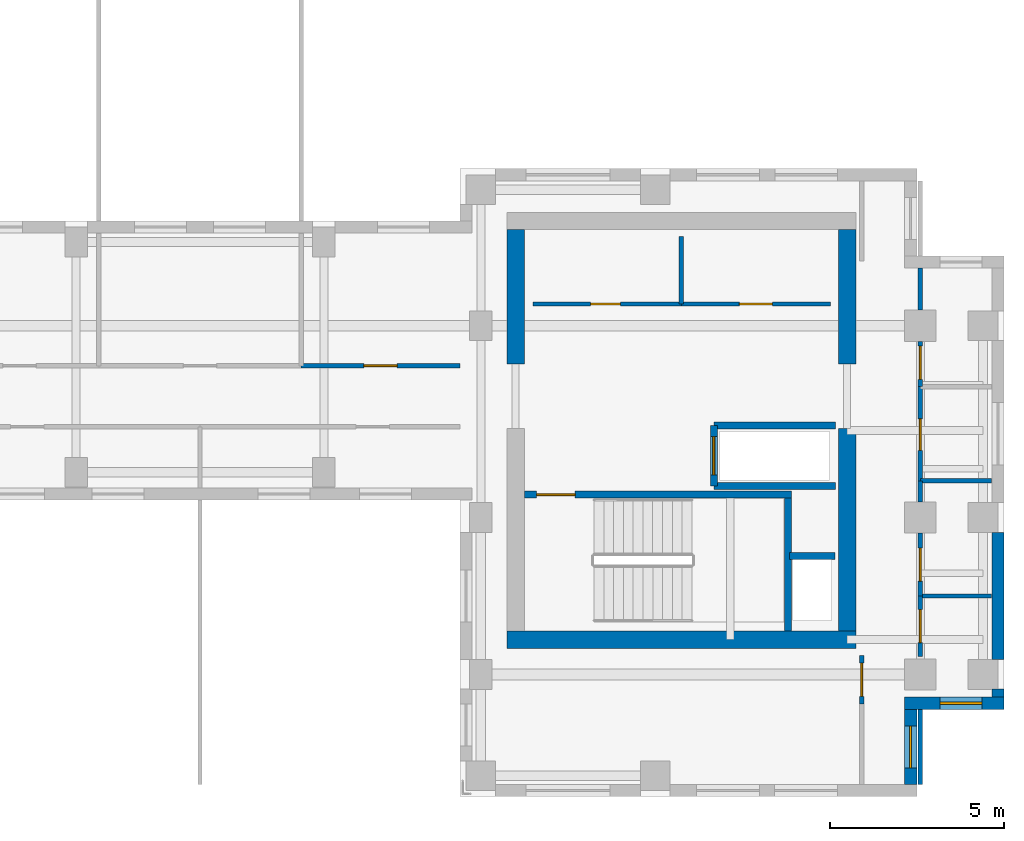
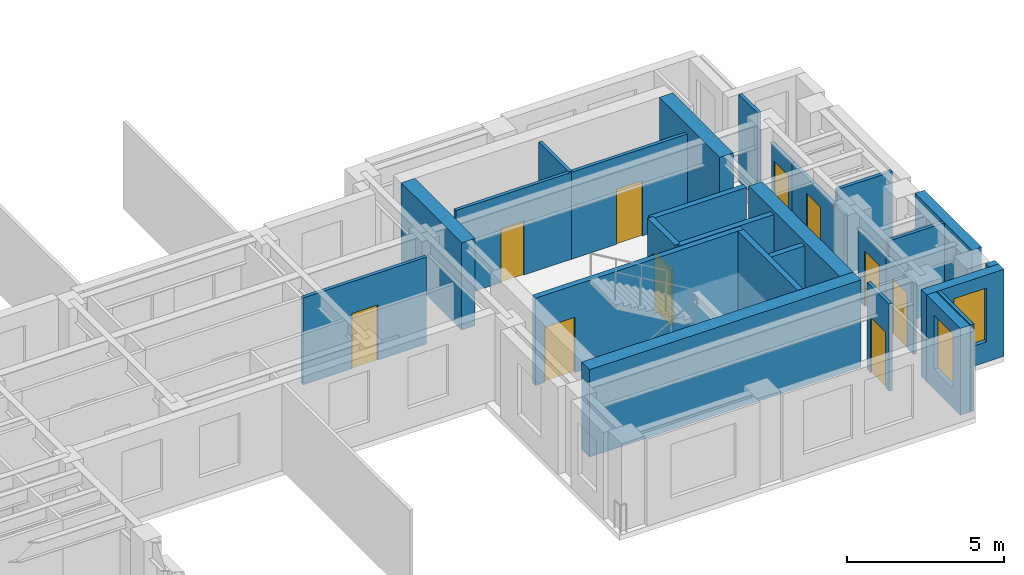
# One storey, part 6 of 10: 28 walls, 10 doors, 2 windows, 12 openings.
"""IFC4 building model written with IfcOpenShell, lengths in metres."""

from ifc_helpers import new_model, si_unit, direction, frame, frame_2d, origin, place, context, subcontext, project, spatial, rectangle, extrude, source, transform, mapped, material, layer, layer_set, type_object, element, fill, save


model = new_model("IFC4")

# Units and contexts
model_context = context("Model", 3, precision=1e-05, world=origin(), true_north=direction((0.0, 1.0)))
body_context = subcontext(model_context, "Body", "Model", "MODEL_VIEW")
ifc_project = project(units=[si_unit("LENGTHUNIT", "METRE"), si_unit("AREAUNIT", "SQUARE_METRE"), si_unit("VOLUMEUNIT", "CUBIC_METRE"), si_unit("PLANEANGLEUNIT", "RADIAN"), si_unit("MASSUNIT", "GRAM", prefix="KILO")], contexts=[model_context])

# Site, building, storey
site_placement = place(None, origin())
site = spatial("IfcSite", under=ifc_project, at=site_placement, CompositionType="ELEMENT")
building_placement = place(site_placement, origin())
building = spatial("IfcBuilding", under=site, at=building_placement, Name="Kharzan Plaza Tower", CompositionType="ELEMENT")
storey_placement = place(building_placement, frame((0.0, 0.0, 237.60009765625)))
storey = spatial("IfcBuildingStorey", under=building, at=storey_placement, Name="L64", CompositionType="ELEMENT", Elevation=237.60009765625)

# Wall, opening, window
ifc_material_1 = material(Name="Concrete C40/50", Category="concrete")
ifc_layer_1 = layer(ifc_material_1, 0.35009765625)
ifc_layer_set_1 = layer_set([ifc_layer_1], Name="Concrete C40/50")
wall_type_1 = type_object("IfcWallType", Name="WL-EXT-MAS-Z4", PredefinedType="SOLIDWALL", material=ifc_layer_set_1)
wall_1_placement = place(storey_placement, frame((47.324951171875, 0.347900390625, 0.0), z_axis=(0.0, 0.0, 1.0), x_axis=(0.0, 1.0, 0.0)))
wall_1 = element("IfcWall", 1, at=wall_1_placement, inside=storey, type_object=wall_type_1, Name="L64 Masonry-Frame Exterior Wall 37", PredefinedType="SOLIDWALL", context=body_context, shape_type="SweptSolid", body=[
    extrude(rectangle(XDim=2.154052734375, YDim=0.35009765625, at=frame_2d((1.0771484375, 0.0))), origin(), (0.0, 0.0, 1.0), 3.385009765625),
])
opening_1_placement = place(wall_1_placement, frame((0.47705078125, 0.0, 0.780029296875)))
opening_1 = element("IfcOpeningElement", 2, at=opening_1_placement, cuts=wall_1, Name="Opening W3", PredefinedType="OPENING", context=body_context, shape_type="SweptSolid", body=[
    extrude(rectangle(XDim=1.199951171875, YDim=2.10009765625, at=frame_2d((0.60009765625, 1.050048828125))), frame((0.0, 0.18505859375, 0.0), z_axis=(0.0, -1.0, 0.0), x_axis=(1.0, 0.0, 0.0)), (0.0, 0.0, 1.0), 0.3701171875),
])
ifc_material_2 = material(Name="Low-E Double Glazing", Category="glass")
window_type = type_object("IfcWindowType", Name="WN-REC-1200x2100", PartitioningType="SINGLE_PANEL", PredefinedType="WINDOW", material=ifc_material_2)
shared_shape_1 = source(origin(), body_context, "Body", "SweptSolid", [
    extrude(rectangle(XDim=1.199951171875, YDim=2.10009765625, at=frame_2d((0.60009765625, 1.050048828125))), frame((0.0, 0.030029296875, 0.0), z_axis=(0.0, -1.0, 0.0), x_axis=(1.0, 0.0, 0.0)), (0.0, 0.0, 1.0), 0.06005859375),
])
window_1_placement = place(opening_1_placement, origin())
window_1 = element("IfcWindow", 3, at=window_1_placement, inside=storey, type_object=window_type, Name="L64 Recessed Solar-Control Window 37-1", OverallHeight=2.10009765625, OverallWidth=1.199951171875, PartitioningType="SINGLE_PANEL", PredefinedType="WINDOW", context=body_context, shape_type="MappedRepresentation", body=[
    mapped(shared_shape_1, transform((0.0, 0.0, 0.0), x_axis=(1.0, 0.0, 0.0), y_axis=(0.0, 1.0, 0.0), z_axis=(0.0, 0.0, 1.0))),
])
fill(opening_1, window_1)

wall_2_placement = place(storey_placement, frame((47.14990234375, 2.675048828125, 0.0), z_axis=(0.0, 0.0, 1.0), x_axis=(1.0, 0.0, 0.0)))
wall_2 = element("IfcWall", 4, at=wall_2_placement, inside=storey, type_object=wall_type_1, Name="L64 Masonry-Frame Exterior Wall 38", PredefinedType="SOLIDWALL", context=body_context, shape_type="SweptSolid", body=[
    extrude(rectangle(XDim=2.85009765625, YDim=0.35009765625, at=frame_2d((1.425048828125, 0.0))), origin(), (0.0, 0.0, 1.0), 3.385009765625),
])
opening_2_placement = place(wall_2_placement, frame((1.014892578125, 0.0, 0.780029296875)))
opening_2 = element("IfcOpeningElement", 5, at=opening_2_placement, cuts=wall_2, Name="Opening W3", PredefinedType="OPENING", context=body_context, shape_type="SweptSolid", body=[
    extrude(rectangle(XDim=1.199951171875, YDim=2.10009765625, at=frame_2d((0.60009765625, 1.050048828125))), frame((0.0, 0.18505859375, 0.0), z_axis=(0.0, -1.0, 0.0), x_axis=(1.0, 0.0, 0.0)), (0.0, 0.0, 1.0), 0.3701171875),
])
window_2_placement = place(opening_2_placement, origin())
window_2 = element("IfcWindow", 6, at=window_2_placement, inside=storey, type_object=window_type, Name="L64 Recessed Solar-Control Window 38-1", OverallHeight=2.10009765625, OverallWidth=1.199951171875, PartitioningType="SINGLE_PANEL", PredefinedType="WINDOW", context=body_context, shape_type="MappedRepresentation", body=[
    mapped(shared_shape_1, transform((0.0, 0.0, 0.0), x_axis=(1.0, 0.0, 0.0), y_axis=(0.0, 1.0, 0.0), z_axis=(0.0, 0.0, 1.0))),
])
fill(opening_2, window_2)

# Wall, opening, door
ifc_material_3 = material(Name="Fire-Rated Gypsum Board Partition", Category="gypsum")
ifc_layer_2 = layer(ifc_material_3, 0.125)
ifc_layer_set_2 = layer_set([ifc_layer_2], Name="Fire-Rated Gypsum Board Partition")
wall_type_2 = type_object("IfcWallType", Name="WL-INT-PART-125", PredefinedType="PARTITIONING", material=ifc_layer_set_2)
wall_3_placement = place(storey_placement, frame((36.5, 14.1201171875, 0.0), z_axis=(0.0, 0.0, 1.0), x_axis=(1.0, 0.0, 0.0)))
wall_3 = element("IfcWall", 7, at=wall_3_placement, inside=storey, type_object=wall_type_2, Name="L64 Interior Partition CB-RBLS1", PredefinedType="PARTITIONING", context=body_context, shape_type="SweptSolid", body=[
    extrude(rectangle(XDim=4.25, YDim=0.125, at=frame_2d((2.125, 0.0))), origin(), (0.0, 0.0, 1.0), 3.385009765625),
])
opening_3_placement = place(wall_3_placement, frame((1.64990234375, 0.0, 0.0)))
opening_3 = element("IfcOpeningElement", 8, at=opening_3_placement, cuts=wall_3, Name="Opening RD1", PredefinedType="OPENING", context=body_context, shape_type="SweptSolid", body=[
    extrude(rectangle(XDim=0.85009765625, YDim=2.10009765625, at=frame_2d((0.425048828125, 1.050048828125))), frame((0.0, 0.072509765625, 0.0), z_axis=(0.0, -1.0, 0.0), x_axis=(1.0, 0.0, 0.0)), (0.0, 0.0, 1.0), 0.14501953125),
])
ifc_material_4 = material(Name="Powder-Coated Fire-Rated Steel", Category="steel")
door_type_1 = type_object("IfcDoorType", Name="DR-RISER-900", OperationType="NOTDEFINED", PredefinedType="DOOR", material=ifc_material_4)
shared_shape_2 = source(origin(), body_context, "Body", "SweptSolid", [
    extrude(rectangle(XDim=0.85009765625, YDim=2.10009765625, at=frame_2d((0.425048828125, 1.050048828125))), frame((0.0, 0.02490234375, 0.0), z_axis=(0.0, -1.0, 0.0), x_axis=(1.0, 0.0, 0.0)), (0.0, 0.0, 1.0), 0.050048828125),
])
door_1_placement = place(opening_3_placement, origin())
door_1 = element("IfcDoor", 9, at=door_1_placement, inside=storey, type_object=door_type_1, Name="L64 Archive Room Door", OperationType="SINGLE_SWING_RIGHT", OverallHeight=2.10009765625, OverallWidth=0.85009765625, PredefinedType="DOOR", context=body_context, shape_type="MappedRepresentation", body=[
    mapped(shared_shape_2, transform((0.0, 0.0, 0.0), x_axis=(1.0, 0.0, 0.0), y_axis=(0.0, 1.0, 0.0), z_axis=(0.0, 0.0, 1.0))),
])
fill(opening_3, door_1)

wall_4_placement = place(storey_placement, frame((40.75, 14.1201171875, 0.0), z_axis=(0.0, 0.0, 1.0), x_axis=(1.0, 0.0, 0.0)))
wall_4 = element("IfcWall", 10, at=wall_4_placement, inside=storey, type_object=wall_type_2, Name="L64 Interior Partition CB-RBLS2", PredefinedType="PARTITIONING", context=body_context, shape_type="SweptSolid", body=[
    extrude(rectangle(XDim=4.27001953125, YDim=0.125, at=frame_2d((2.135009765625, 0.0))), origin(), (0.0, 0.0, 1.0), 3.385009765625),
])
opening_4_placement = place(wall_4_placement, frame((1.659912109375, 0.0, 0.0)))
opening_4 = element("IfcOpeningElement", 11, at=opening_4_placement, cuts=wall_4, Name="Opening OD1", PredefinedType="OPENING", context=body_context, shape_type="SweptSolid", body=[
    extrude(rectangle(XDim=0.949951171875, YDim=2.14990234375, at=frame_2d((0.47509765625, 1.074951171875))), frame((0.0, 0.072509765625, 0.0), z_axis=(0.0, -1.0, 0.0), x_axis=(1.0, 0.0, 0.0)), (0.0, 0.0, 1.0), 0.14501953125),
])
ifc_material_5 = material(Name="Acoustic Solid-Core Stained Oak", Category="timber")
door_type_2 = type_object("IfcDoorType", Name="DR-OFF-SINGLE", OperationType="NOTDEFINED", PredefinedType="DOOR", material=ifc_material_5)
shared_shape_3 = source(origin(), body_context, "Body", "SweptSolid", [
    extrude(rectangle(XDim=0.949951171875, YDim=2.14990234375, at=frame_2d((0.47509765625, 1.074951171875))), frame((0.0, 0.02490234375, 0.0), z_axis=(0.0, -1.0, 0.0), x_axis=(1.0, 0.0, 0.0)), (0.0, 0.0, 1.0), 0.050048828125),
])
door_2_placement = place(opening_4_placement, origin())
door_2 = element("IfcDoor", 12, at=door_2_placement, inside=storey, type_object=door_type_2, Name="L64 Print Room Door", OperationType="SINGLE_SWING_LEFT", OverallHeight=2.14990234375, OverallWidth=0.949951171875, PredefinedType="DOOR", context=body_context, shape_type="MappedRepresentation", body=[
    mapped(shared_shape_3, transform((0.0, 0.0, 0.0), x_axis=(1.0, 0.0, 0.0), y_axis=(0.0, 1.0, 0.0), z_axis=(0.0, 0.0, 1.0))),
])
fill(opening_4, door_2)

wall_5_placement = place(storey_placement, frame((47.60009765625, 4.02001953125, 0.0), z_axis=(0.0, 0.0, 1.0), x_axis=(0.0, 1.0, 0.0)))
wall_5 = element("IfcWall", 13, at=wall_5_placement, inside=storey, type_object=wall_type_2, Name="L64 Interior Partition SH-B3W0", PredefinedType="PARTITIONING", context=body_context, shape_type="SweptSolid", body=[
    extrude(rectangle(XDim=1.72998046875, YDim=0.125, at=frame_2d((0.864990234375, 0.0))), origin(), (0.0, 0.0, 1.0), 2.77294921875),
])
opening_5_placement = place(wall_5_placement, frame((0.389892578125, 0.0, 0.0)))
opening_5 = element("IfcOpeningElement", 14, at=opening_5_placement, cuts=wall_5, Name="Opening OD1", PredefinedType="OPENING", context=body_context, shape_type="SweptSolid", body=[
    extrude(rectangle(XDim=0.949951171875, YDim=2.14990234375, at=frame_2d((0.47509765625, 1.074951171875))), frame((0.0, 0.072509765625, 0.0), z_axis=(0.0, -1.0, 0.0), x_axis=(1.0, 0.0, 0.0)), (0.0, 0.0, 1.0), 0.14501953125),
])
door_3_placement = place(opening_5_placement, origin())
door_3 = element("IfcDoor", 15, at=door_3_placement, inside=storey, type_object=door_type_2, Name="L64 Wing B Office 1 Door", OperationType="SINGLE_SWING_RIGHT", OverallHeight=2.14990234375, OverallWidth=0.949951171875, PredefinedType="DOOR", context=body_context, shape_type="MappedRepresentation", body=[
    mapped(shared_shape_3, transform((0.0, 0.0, 0.0), x_axis=(1.0, 0.0, 0.0), y_axis=(0.0, 1.0, 0.0), z_axis=(0.0, 0.0, 1.0))),
])
fill(opening_5, door_3)

wall_6_placement = place(storey_placement, frame((47.60009765625, 5.75, 0.0), z_axis=(0.0, 0.0, 1.0), x_axis=(0.0, 1.0, 0.0)))
wall_6 = element("IfcWall", 16, at=wall_6_placement, inside=storey, type_object=wall_type_2, Name="L64 Interior Partition SH-B3W1-S1", PredefinedType="PARTITIONING", context=body_context, shape_type="SweptSolid", body=[
    extrude(rectangle(XDim=1.800048828125, YDim=0.125, at=frame_2d((0.89990234375, 0.0))), origin(), (0.0, 0.0, 1.0), 2.77294921875),
])
opening_6_placement = place(wall_6_placement, frame((0.425048828125, 0.0, 0.0)))
opening_6 = element("IfcOpeningElement", 17, at=opening_6_placement, cuts=wall_6, Name="Opening OD1", PredefinedType="OPENING", context=body_context, shape_type="SweptSolid", body=[
    extrude(rectangle(XDim=0.949951171875, YDim=2.14990234375, at=frame_2d((0.47509765625, 1.074951171875))), frame((0.0, 0.072509765625, 0.0), z_axis=(0.0, -1.0, 0.0), x_axis=(1.0, 0.0, 0.0)), (0.0, 0.0, 1.0), 0.14501953125),
])
door_4_placement = place(opening_6_placement, origin())
door_4 = element("IfcDoor", 18, at=door_4_placement, inside=storey, type_object=door_type_2, Name="L64 Wing B Office 2 Door", OperationType="SINGLE_SWING_LEFT", OverallHeight=2.14990234375, OverallWidth=0.949951171875, PredefinedType="DOOR", context=body_context, shape_type="MappedRepresentation", body=[
    mapped(shared_shape_3, transform((0.0, 0.0, 0.0), x_axis=(1.0, 0.0, 0.0), y_axis=(0.0, 1.0, 0.0), z_axis=(0.0, 0.0, 1.0))),
])
fill(opening_6, door_4)

wall_7_placement = place(storey_placement, frame((47.60009765625, 11.75, 0.0), z_axis=(0.0, 0.0, 1.0), x_axis=(0.0, 1.0, 0.0)))
wall_7 = element("IfcWall", 19, at=wall_7_placement, inside=storey, type_object=wall_type_2, Name="L64 Interior Partition SH-B3W2-S1", PredefinedType="PARTITIONING", context=body_context, shape_type="SweptSolid", body=[
    extrude(rectangle(XDim=1.300048828125, YDim=0.125, at=frame_2d((0.64990234375, 0.0))), origin(), (0.0, 0.0, 1.0), 2.77294921875),
])
opening_7_placement = place(wall_7_placement, frame((0.2099609375, 0.0, 0.0)))
opening_7 = element("IfcOpeningElement", 20, at=opening_7_placement, cuts=wall_7, Name="Opening OD1", PredefinedType="OPENING", context=body_context, shape_type="SweptSolid", body=[
    extrude(rectangle(XDim=0.949951171875, YDim=2.14990234375, at=frame_2d((0.47509765625, 1.074951171875))), frame((0.0, 0.072509765625, 0.0), z_axis=(0.0, -1.0, 0.0), x_axis=(1.0, 0.0, 0.0)), (0.0, 0.0, 1.0), 0.14501953125),
])
door_5_placement = place(opening_7_placement, origin())
door_5 = element("IfcDoor", 21, at=door_5_placement, inside=storey, type_object=door_type_2, Name="L64 Wing B Office 3 Door", OperationType="SINGLE_SWING_LEFT", OverallHeight=2.14990234375, OverallWidth=0.949951171875, PredefinedType="DOOR", context=body_context, shape_type="MappedRepresentation", body=[
    mapped(shared_shape_3, transform((0.0, 0.0, 0.0), x_axis=(1.0, 0.0, 0.0), y_axis=(0.0, 1.0, 0.0), z_axis=(0.0, 0.0, 1.0))),
])
fill(opening_7, door_5)

wall_8_placement = place(storey_placement, frame((47.60009765625, 9.050048828125, 0.0), z_axis=(0.0, 0.0, 1.0), x_axis=(0.0, 1.0, 0.0)))
wall_8 = element("IfcWall", 22, at=wall_8_placement, inside=storey, type_object=wall_type_2, Name="L64 Interior Partition SH-B3WC", PredefinedType="PARTITIONING", context=body_context, shape_type="SweptSolid", body=[
    extrude(rectangle(XDim=2.699951171875, YDim=0.125, at=frame_2d((1.35009765625, 0.0))), origin(), (0.0, 0.0, 1.0), 2.77294921875),
])
opening_8_placement = place(wall_8_placement, frame((0.875, 0.0, 0.0)))
opening_8 = element("IfcOpeningElement", 23, at=opening_8_placement, cuts=wall_8, Name="Opening WD1", PredefinedType="OPENING", context=body_context, shape_type="SweptSolid", body=[
    extrude(rectangle(XDim=0.89990234375, YDim=2.14990234375, at=frame_2d((0.449951171875, 1.074951171875))), frame((0.0, 0.072509765625, 0.0), z_axis=(0.0, -1.0, 0.0), x_axis=(1.0, 0.0, 0.0)), (0.0, 0.0, 1.0), 0.14501953125),
])
ifc_material_6 = material(Name="Moisture-Resistant Fire-Rated Laminate", Category="timber")
door_type_3 = type_object("IfcDoorType", Name="DR-WC-900", OperationType="NOTDEFINED", PredefinedType="DOOR", material=ifc_material_6)
shared_shape_4 = source(origin(), body_context, "Body", "SweptSolid", [
    extrude(rectangle(XDim=0.89990234375, YDim=2.14990234375, at=frame_2d((0.449951171875, 1.074951171875))), frame((0.0, 0.02490234375, 0.0), z_axis=(0.0, -1.0, 0.0), x_axis=(1.0, 0.0, 0.0)), (0.0, 0.0, 1.0), 0.050048828125),
])
door_6_placement = place(opening_8_placement, origin())
door_6 = element("IfcDoor", 24, at=door_6_placement, inside=storey, type_object=door_type_3, Name="L64 Wing B Washroom Door", OperationType="SINGLE_SWING_LEFT", OverallHeight=2.14990234375, OverallWidth=0.89990234375, PredefinedType="DOOR", context=body_context, shape_type="MappedRepresentation", body=[
    mapped(shared_shape_4, transform((0.0, 0.0, 0.0), x_axis=(1.0, 0.0, 0.0), y_axis=(0.0, 1.0, 0.0), z_axis=(0.0, 0.0, 1.0))),
])
fill(opening_8, door_6)

wall_9_placement = place(storey_placement, frame((45.919921875, 2.64990234375, 0.0), z_axis=(0.0, 0.0, 1.0), x_axis=(0.0, 1.0, 0.0)))
wall_9 = element("IfcWall", 25, at=wall_9_placement, inside=storey, type_object=wall_type_2, Name="L64 Interior Partition SH-RBSE", PredefinedType="PARTITIONING", context=body_context, shape_type="SweptSolid", body=[
    extrude(rectangle(XDim=1.400146484375, YDim=0.125, at=frame_2d((0.7001953125, 0.0))), origin(), (0.0, 0.0, 1.0), 3.385009765625),
])
opening_9_placement = place(wall_9_placement, frame((0.22509765625, 0.0, 0.0)))
opening_9 = element("IfcOpeningElement", 26, at=opening_9_placement, cuts=wall_9, Name="Opening OD1", PredefinedType="OPENING", context=body_context, shape_type="SweptSolid", body=[
    extrude(rectangle(XDim=0.949951171875, YDim=2.14990234375, at=frame_2d((0.47509765625, 1.074951171875))), frame((0.0, 0.072509765625, 0.0), z_axis=(0.0, -1.0, 0.0), x_axis=(1.0, 0.0, 0.0)), (0.0, 0.0, 1.0), 0.14501953125),
])
door_7_placement = place(opening_9_placement, origin())
door_7 = element("IfcDoor", 27, at=door_7_placement, inside=storey, type_object=door_type_2, Name="L64 South-East Corner Office Door", OperationType="SINGLE_SWING_RIGHT", OverallHeight=2.14990234375, OverallWidth=0.949951171875, PredefinedType="DOOR", context=body_context, shape_type="MappedRepresentation", body=[
    mapped(shared_shape_3, transform((0.0, 0.0, 0.0), x_axis=(1.0, 0.0, 0.0), y_axis=(0.0, 1.0, 0.0), z_axis=(0.0, 0.0, 1.0))),
])
fill(opening_9, door_7)

wall_10_placement = place(storey_placement, frame((29.85009765625, 12.35009765625, 0.0), z_axis=(0.0, 0.0, 1.0), x_axis=(1.0, 0.0, 0.0)))
wall_10 = element("IfcWall", 28, at=wall_10_placement, inside=storey, type_object=wall_type_2, Name="L64 Interior Partition SH-SPNE1", PredefinedType="PARTITIONING", context=body_context, shape_type="SweptSolid", body=[
    extrude(rectangle(XDim=4.5498046875, YDim=0.125, at=frame_2d((2.27490234375, 0.0))), origin(), (0.0, 0.0, 1.0), 3.385009765625),
])
opening_10_placement = place(wall_10_placement, frame((1.800048828125, 0.0, 0.0)))
opening_10 = element("IfcOpeningElement", 29, at=opening_10_placement, cuts=wall_10, Name="Opening OD1", PredefinedType="OPENING", context=body_context, shape_type="SweptSolid", body=[
    extrude(rectangle(XDim=0.949951171875, YDim=2.14990234375, at=frame_2d((0.47509765625, 1.074951171875))), frame((0.0, 0.072509765625, 0.0), z_axis=(0.0, -1.0, 0.0), x_axis=(1.0, 0.0, 0.0)), (0.0, 0.0, 1.0), 0.14501953125),
])
door_8_placement = place(opening_10_placement, origin())
door_8 = element("IfcDoor", 30, at=door_8_placement, inside=storey, type_object=door_type_2, Name="L64 North-East Spine Door", OperationType="SINGLE_SWING_RIGHT", OverallHeight=2.14990234375, OverallWidth=0.949951171875, PredefinedType="DOOR", context=body_context, shape_type="MappedRepresentation", body=[
    mapped(shared_shape_3, transform((0.0, 0.0, 0.0), x_axis=(1.0, 0.0, 0.0), y_axis=(0.0, 1.0, 0.0), z_axis=(0.0, 0.0, 1.0))),
])
fill(opening_10, door_8)

ifc_layer_3 = layer(ifc_material_1, 0.199951171875)
ifc_layer_set_3 = layer_set([ifc_layer_3], Name="Concrete C40/50")
wall_type_3 = type_object("IfcWallType", Name="WL-INT-SHAFT-200", PredefinedType="PARTITIONING", material=ifc_layer_set_3)
wall_11_placement = place(storey_placement, frame((41.679931640625, 8.89990234375, 0.0), z_axis=(0.0, 0.0, 1.0), x_axis=(0.0, 1.0, 0.0)))
wall_11 = element("IfcWall", 31, at=wall_11_placement, inside=storey, type_object=wall_type_3, Name="L64 Interior Partition SHF-SVL-2-W", PredefinedType="PARTITIONING", context=body_context, shape_type="SweptSolid", body=[
    extrude(rectangle(XDim=1.739990234375, YDim=0.199951171875, at=frame_2d((0.8701171875, 0.0))), origin(), (0.0, 0.0, 1.0), 3.385009765625),
])
opening_11_placement = place(wall_11_placement, frame((0.320068359375, 0.0, 0.0)))
opening_11 = element("IfcOpeningElement", 32, at=opening_11_placement, cuts=wall_11, Name="Opening LD", PredefinedType="OPENING", context=body_context, shape_type="SweptSolid", body=[
    extrude(rectangle(XDim=1.10009765625, YDim=2.199951171875, at=frame_2d((0.550048828125, 1.10009765625))), frame((0.0, 0.10986328125, 0.0), z_axis=(0.0, -1.0, 0.0), x_axis=(1.0, 0.0, 0.0)), (0.0, 0.0, 1.0), 0.219970703125),
])
ifc_material_7 = material(Name="Brushed Stainless Steel", Category="steel")
door_type_4 = type_object("IfcDoorType", Name="DR-LIFT-SLIDE", OperationType="SLIDING_TO_LEFT", PredefinedType="DOOR", material=ifc_material_7)
shared_shape_5 = source(origin(), body_context, "Body", "SweptSolid", [
    extrude(rectangle(XDim=1.10009765625, YDim=2.199951171875, at=frame_2d((0.550048828125, 1.10009765625))), frame((0.0, 0.02490234375, 0.0), z_axis=(0.0, -1.0, 0.0), x_axis=(1.0, 0.0, 0.0)), (0.0, 0.0, 1.0), 0.050048828125),
])
door_9_placement = place(opening_11_placement, origin())
door_9 = element("IfcDoor", 33, at=door_9_placement, inside=storey, type_object=door_type_4, Name="L64 Service Lift SVL-2 Sliding Landing Door", OperationType="SLIDING_TO_LEFT", OverallHeight=2.199951171875, OverallWidth=1.10009765625, PredefinedType="DOOR", context=body_context, shape_type="MappedRepresentation", body=[
    mapped(shared_shape_5, transform((0.0, 0.0, 0.0), x_axis=(1.0, 0.0, 0.0), y_axis=(0.0, 1.0, 0.0), z_axis=(0.0, 0.0, 1.0))),
])
fill(opening_11, door_9)

ifc_material_8 = material(Name="Concrete C50/60", Category="concrete")
ifc_layer_4 = layer(ifc_material_8, 0.199951171875)
ifc_layer_set_4 = layer_set([ifc_layer_4], Name="Concrete C50/60")
wall_type_4 = type_object("IfcWallType", Name="WL-SHAFT-RC200", PredefinedType="SHEAR", material=ifc_layer_set_4)
wall_12_placement = place(storey_placement, frame((36.251953125, 8.655029296875, 0.0), z_axis=(0.0, 0.0, 1.0), x_axis=(1.0, 0.0, 0.0)))
wall_12 = element("IfcWall", 34, at=wall_12_placement, inside=storey, type_object=wall_type_4, Name="L64 Stair ST-3 North RC Shaft Wall", PredefinedType="SHEAR", context=body_context, shape_type="SweptSolid", body=[
    extrude(rectangle(XDim=7.653076171875, YDim=0.199951171875, at=frame_2d((3.82666015625, 0.0))), origin(), (0.0, 0.0, 1.0), 3.39990234375),
])
opening_12_placement = place(wall_12_placement, frame((0.35009765625, 0.0, 0.0)))
opening_12 = element("IfcOpeningElement", 35, at=opening_12_placement, cuts=wall_12, Name="Opening SD1", PredefinedType="OPENING", context=body_context, shape_type="SweptSolid", body=[
    extrude(rectangle(XDim=1.10009765625, YDim=2.14990234375, at=frame_2d((0.550048828125, 1.074951171875))), frame((0.0, 0.10986328125, 0.0), z_axis=(0.0, -1.0, 0.0), x_axis=(1.0, 0.0, 0.0)), (0.0, 0.0, 1.0), 0.219970703125),
])
ifc_material_9 = material(Name="Fire-Rated Hollow Galvanized Steel", Category="steel")
door_type_5 = type_object("IfcDoorType", Name="DR-STAIR-FD120", OperationType="NOTDEFINED", PredefinedType="DOOR", material=ifc_material_9)
shared_shape_6 = source(origin(), body_context, "Body", "SweptSolid", [
    extrude(rectangle(XDim=1.10009765625, YDim=2.14990234375, at=frame_2d((0.550048828125, 1.074951171875))), frame((0.0, 0.02490234375, 0.0), z_axis=(0.0, -1.0, 0.0), x_axis=(1.0, 0.0, 0.0)), (0.0, 0.0, 1.0), 0.050048828125),
])
door_10_placement = place(opening_12_placement, origin())
door_10 = element("IfcDoor", 36, at=door_10_placement, inside=storey, type_object=door_type_5, Name="L64 Stair ST-3 Fire Exit Door", OperationType="SINGLE_SWING_LEFT", OverallHeight=2.14990234375, OverallWidth=1.10009765625, PredefinedType="DOOR", context=body_context, shape_type="MappedRepresentation", body=[
    mapped(shared_shape_6, transform((0.0, 0.0, 0.0), x_axis=(1.0, 0.0, 0.0), y_axis=(0.0, 1.0, 0.0), z_axis=(0.0, 0.0, 1.0))),
])
fill(opening_12, door_10)

# Walls
shared_shape_7 = source(origin(), body_context, "Body", "SweptSolid", [
    extrude(rectangle(XDim=1.929931640625, YDim=0.125, at=frame_2d((0.96484375, 0.0))), origin(), (0.0, 0.0, 1.0), 3.385009765625),
])
wall_13_placement = place(storey_placement, frame((40.75, 14.1201171875, 0.0), z_axis=(0.0, 0.0, 1.0), x_axis=(0.0, 1.0, 0.0)))
element("IfcWall", 37, at=wall_13_placement, inside=storey, type_object=wall_type_2, Name="L64 Interior Partition CB-RBLM1", PredefinedType="PARTITIONING", context=body_context, shape_type="MappedRepresentation", body=[
    mapped(shared_shape_7, transform((0.0, 0.0, 0.0), x_axis=(1.0, 0.0, 0.0), y_axis=(0.0, 1.0, 0.0), z_axis=(0.0, 0.0, 1.0))),
])
shared_shape_8 = source(origin(), body_context, "Body", "SweptSolid", [
    extrude(rectangle(XDim=1.2998046875, YDim=0.199951171875, at=frame_2d((0.64990234375, 0.0))), origin(), (0.0, 0.0, 1.0), 3.385009765625),
])
wall_14_placement = place(storey_placement, frame((43.85009765625, 6.89990234375, 0.0), z_axis=(0.0, 0.0, 1.0), x_axis=(1.0, 0.0, 0.0)))
element("IfcWall", 38, at=wall_14_placement, inside=storey, type_object=wall_type_3, Name="L64 Interior Partition CB-RSRB-N", PredefinedType="PARTITIONING", context=body_context, shape_type="MappedRepresentation", body=[
    mapped(shared_shape_8, transform((0.0, 0.0, 0.0), x_axis=(1.0, 0.0, 0.0), y_axis=(0.0, 1.0, 0.0), z_axis=(0.0, 0.0, 1.0))),
])
shared_shape_9 = source(origin(), body_context, "Body", "SweptSolid", [
    extrude(rectangle(XDim=3.489990234375, YDim=0.199951171875, at=frame_2d((1.7451171875, 0.0))), origin(), (0.0, 0.0, 1.0), 3.385009765625),
])
for number, where, z_axis, x_axis, name in (
    (39, (41.679931640625, 10.639892578125, 0.0), (0.0, 0.0, 1.0), (1.0, 0.0, 0.0), "L64 Interior Partition SHF-SVL-2-N"),
    (40, (41.679931640625, 8.89990234375, 0.0), (0.0, 0.0, 1.0), (1.0, 0.0, 0.0), "L64 Interior Partition SHF-SVL-2-S"),
):
    element("IfcWall", number, at=place(storey_placement, frame(where, z_axis=z_axis, x_axis=x_axis)), inside=storey, type_object=wall_type_3, Name=name, PredefinedType="PARTITIONING", context=body_context, shape_type="MappedRepresentation", body=[
        mapped(shared_shape_9, transform((0.0, 0.0, 0.0), x_axis=(1.0, 0.0, 0.0), y_axis=(0.0, 1.0, 0.0), z_axis=(0.0, 0.0, 1.0))),
    ])
shared_shape_10 = source(origin(), body_context, "Body", "SweptSolid", [
    extrude(rectangle(XDim=0.22900390625, YDim=0.35009765625, at=frame_2d((0.114501953125, 0.0))), origin(), (0.0, 0.0, 1.0), 3.385009765625),
])
wall_15_placement = place(storey_placement, frame((49.824951171875, 2.847900390625, 0.0), z_axis=(0.0, 0.0, 1.0), x_axis=(0.0, 1.0, 0.0)))
element("IfcWall", 41, at=wall_15_placement, inside=storey, type_object=wall_type_1, Name="L64 Masonry-Frame Exterior Wall 39", PredefinedType="SOLIDWALL", context=body_context, shape_type="MappedRepresentation", body=[
    mapped(shared_shape_10, transform((0.0, 0.0, 0.0), x_axis=(1.0, 0.0, 0.0), y_axis=(0.0, 1.0, 0.0), z_axis=(0.0, 0.0, 1.0))),
])
shared_shape_11 = source(origin(), body_context, "Body", "SweptSolid", [
    extrude(rectangle(XDim=3.65380859375, YDim=0.35009765625, at=frame_2d((1.826904296875, 0.0))), origin(), (0.0, 0.0, 1.0), 3.385009765625),
])
wall_16_placement = place(storey_placement, frame((49.824951171875, 3.923095703125, 0.0), z_axis=(0.0, 0.0, 1.0), x_axis=(0.0, 1.0, 0.0)))
element("IfcWall", 42, at=wall_16_placement, inside=storey, type_object=wall_type_1, Name="L64 Masonry-Frame Exterior Wall 40", PredefinedType="SOLIDWALL", context=body_context, shape_type="MappedRepresentation", body=[
    mapped(shared_shape_11, transform((0.0, 0.0, 0.0), x_axis=(1.0, 0.0, 0.0), y_axis=(0.0, 1.0, 0.0), z_axis=(0.0, 0.0, 1.0))),
])
shared_shape_12 = source(origin(), body_context, "Body", "SweptSolid", [
    extrude(rectangle(XDim=2.0478515625, YDim=0.125, at=frame_2d((1.02392578125, 0.0))), origin(), (0.0, 0.0, 1.0), 3.385009765625),
])
for number, where, z_axis, x_axis, name in (
    (43, (47.60009765625, 5.75, 0.0), (0.0, 0.0, 1.0), (1.0, 0.0, 0.0), "L64 Interior Partition SH-B3H-57"),
    (44, (47.60009765625, 9.050048828125, 0.0), (0.0, 0.0, 1.0), (1.0, 0.0, 0.0), "L64 Interior Partition SH-B3H-90"),
):
    element("IfcWall", number, at=place(storey_placement, frame(where, z_axis=z_axis, x_axis=x_axis)), inside=storey, type_object=wall_type_2, Name=name, PredefinedType="PARTITIONING", context=body_context, shape_type="MappedRepresentation", body=[
        mapped(shared_shape_12, transform((0.0, 0.0, 0.0), x_axis=(1.0, 0.0, 0.0), y_axis=(0.0, 1.0, 0.0), z_axis=(0.0, 0.0, 1.0))),
    ])
shared_shape_13 = source(origin(), body_context, "Body", "SweptSolid", [
    extrude(rectangle(XDim=2.14794921875, YDim=0.125, at=frame_2d((1.073974609375, 0.0))), origin(), (0.0, 0.0, 1.0), 3.385009765625),
])
wall_17_placement = place(storey_placement, frame((47.60009765625, 0.35009765625, 0.0), z_axis=(0.0, 0.0, 1.0), x_axis=(0.0, 1.0, 0.0)))
element("IfcWall", 45, at=wall_17_placement, inside=storey, type_object=wall_type_2, Name="L64 Interior Partition SH-B3W0S", PredefinedType="PARTITIONING", context=body_context, shape_type="MappedRepresentation", body=[
    mapped(shared_shape_13, transform((0.0, 0.0, 0.0), x_axis=(1.0, 0.0, 0.0), y_axis=(0.0, 1.0, 0.0), z_axis=(0.0, 0.0, 1.0))),
])
shared_shape_14 = source(origin(), body_context, "Body", "SweptSolid", [
    extrude(rectangle(XDim=1.197998046875, YDim=0.125, at=frame_2d((0.59912109375, 0.0))), origin(), (0.0, 0.0, 1.0), 3.385009765625),
])
wall_18_placement = place(storey_placement, frame((47.60009765625, 13.949951171875, 0.0), z_axis=(0.0, 0.0, 1.0), x_axis=(0.0, 1.0, 0.0)))
element("IfcWall", 46, at=wall_18_placement, inside=storey, type_object=wall_type_2, Name="L64 Interior Partition SH-B3W2-S2", PredefinedType="PARTITIONING", context=body_context, shape_type="MappedRepresentation", body=[
    mapped(shared_shape_14, transform((0.0, 0.0, 0.0), x_axis=(1.0, 0.0, 0.0), y_axis=(0.0, 1.0, 0.0), z_axis=(0.0, 0.0, 1.0))),
])
ifc_layer_5 = layer(ifc_material_8, 0.5)
ifc_layer_set_5 = layer_set([ifc_layer_5], Name="Concrete C50/60")
wall_type_5 = type_object("IfcWallType", Name="WL-CORE-500", PredefinedType="SHEAR", material=ifc_layer_set_5)
shared_shape_15 = source(origin(), body_context, "Body", "SweptSolid", [
    extrude(rectangle(XDim=5.800048828125, YDim=0.5, at=frame_2d((2.89990234375, 0.0))), origin(), (0.0, 0.0, 1.0), 3.39990234375),
])
wall_19_placement = place(storey_placement, frame((45.5, 4.75, 0.0), z_axis=(0.0, 0.0, 1.0), x_axis=(0.0, 1.0, 0.0)))
element("IfcWall", 47, at=wall_19_placement, inside=storey, type_object=wall_type_5, Name="L64 CORE-B east shear pier 1", PredefinedType="SHEAR", context=body_context, shape_type="MappedRepresentation", body=[
    mapped(shared_shape_15, transform((0.0, 0.0, 0.0), x_axis=(1.0, 0.0, 0.0), y_axis=(0.0, 1.0, 0.0), z_axis=(0.0, 0.0, 1.0))),
])
shared_shape_16 = source(origin(), body_context, "Body", "SweptSolid", [
    extrude(rectangle(XDim=3.85009765625, YDim=0.5, at=frame_2d((1.925048828125, 0.0))), origin(), (0.0, 0.0, 1.0), 3.39990234375),
])
for number, where, z_axis, x_axis, name in (
    (48, (45.5, 12.39990234375, 0.0), (0.0, 0.0, 1.0), (0.0, 1.0, 0.0), "L64 CORE-B east shear pier 2"),
    (49, (36.0, 12.39990234375, 0.0), (0.0, 0.0, 1.0), (0.0, 1.0, 0.0), "L64 CORE-B west shear pier 2"),
):
    element("IfcWall", number, at=place(storey_placement, frame(where, z_axis=z_axis, x_axis=x_axis)), inside=storey, type_object=wall_type_5, Name=name, PredefinedType="SHEAR", context=body_context, shape_type="MappedRepresentation", body=[
        mapped(shared_shape_16, transform((0.0, 0.0, 0.0), x_axis=(1.0, 0.0, 0.0), y_axis=(0.0, 1.0, 0.0), z_axis=(0.0, 0.0, 1.0))),
    ])
shared_shape_17 = source(origin(), body_context, "Body", "SweptSolid", [
    extrude(rectangle(XDim=10.0, YDim=0.5, at=frame_2d((5.0, 0.0))), origin(), (0.0, 0.0, 1.0), 3.39990234375),
])
wall_20_placement = place(storey_placement, frame((35.75, 4.5, 0.0), z_axis=(0.0, 0.0, 1.0), x_axis=(1.0, 0.0, 0.0)))
element("IfcWall", 50, at=wall_20_placement, inside=storey, type_object=wall_type_5, Name="L64 CORE-B south RC shear wall", PredefinedType="SHEAR", context=body_context, shape_type="MappedRepresentation", body=[
    mapped(shared_shape_17, transform((0.0, 0.0, 0.0), x_axis=(1.0, 0.0, 0.0), y_axis=(0.0, 1.0, 0.0), z_axis=(0.0, 0.0, 1.0))),
])
shared_shape_18 = source(origin(), body_context, "Body", "SweptSolid", [
    extrude(rectangle(XDim=0.60009765625, YDim=0.125, at=frame_2d((0.300048828125, 0.0))), origin(), (0.0, 0.0, 1.0), 2.77294921875),
])
wall_21_placement = place(storey_placement, frame((47.60009765625, 8.449951171875, 0.0), z_axis=(0.0, 0.0, 1.0), x_axis=(0.0, 1.0, 0.0)))
element("IfcWall", 51, at=wall_21_placement, inside=storey, type_object=wall_type_2, Name="L64 Interior Partition SH-B3W1-S2", PredefinedType="PARTITIONING", context=body_context, shape_type="MappedRepresentation", body=[
    mapped(shared_shape_18, transform((0.0, 0.0, 0.0), x_axis=(1.0, 0.0, 0.0), y_axis=(0.0, 1.0, 0.0), z_axis=(0.0, 0.0, 1.0))),
])
shared_shape_19 = source(origin(), body_context, "Body", "SweptSolid", [
    extrude(rectangle(XDim=3.802978515625, YDim=0.199951171875, at=frame_2d((1.9013671875, 0.0))), origin(), (0.0, 0.0, 1.0), 3.39990234375),
])
wall_22_placement = place(storey_placement, frame((43.804931640625, 4.751953125, 0.0), z_axis=(0.0, 0.0, 1.0), x_axis=(0.0, 1.0, 0.0)))
element("IfcWall", 52, at=wall_22_placement, inside=storey, type_object=wall_type_4, Name="L64 Stair ST-3 East RC Shaft Wall", PredefinedType="SHEAR", context=body_context, shape_type="MappedRepresentation", body=[
    mapped(shared_shape_19, transform((0.0, 0.0, 0.0), x_axis=(1.0, 0.0, 0.0), y_axis=(0.0, 1.0, 0.0), z_axis=(0.0, 0.0, 1.0))),
])

save(model, "model.ifc")
